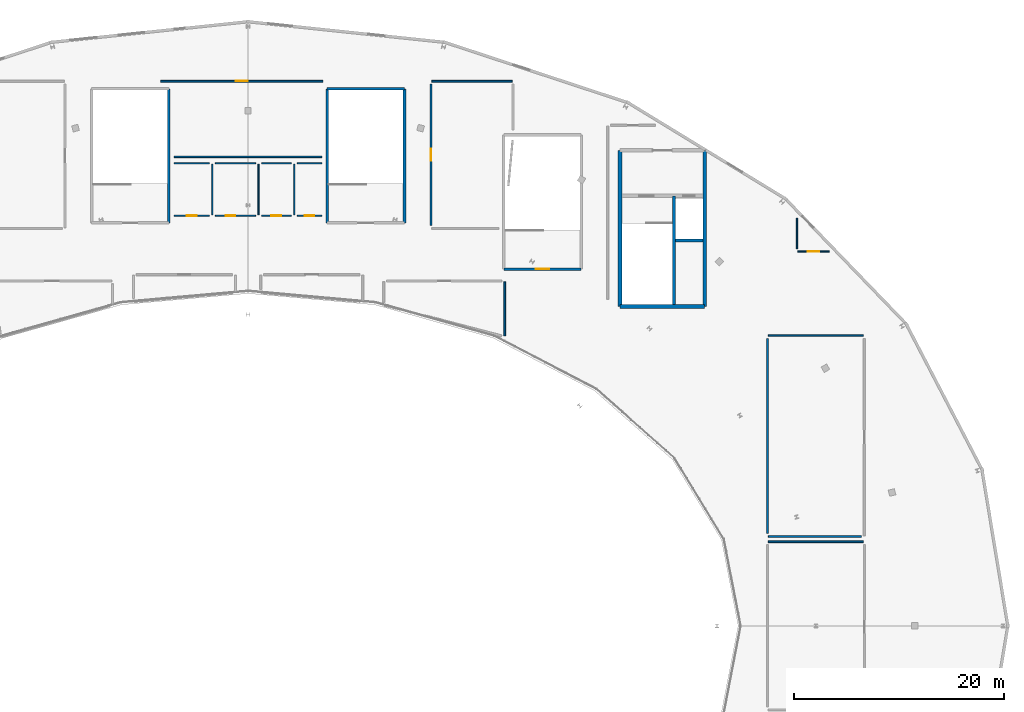
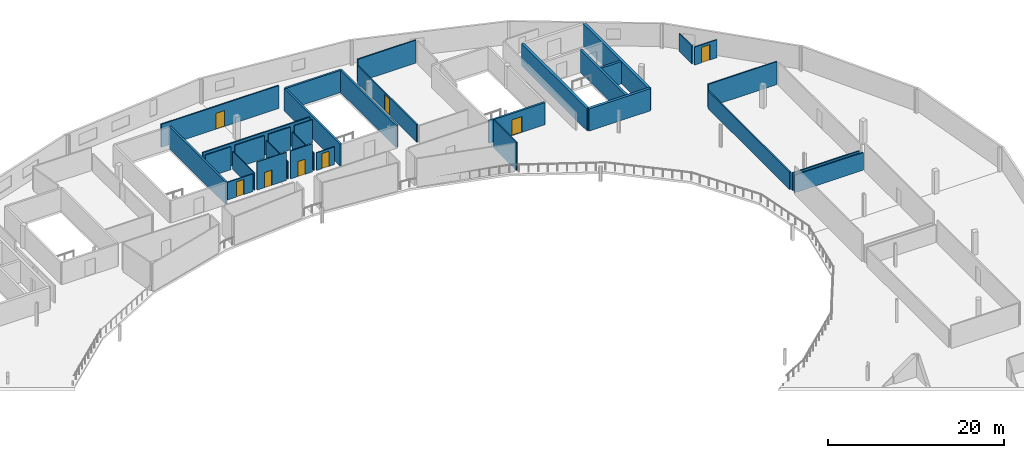
# One storey, part 31 of 35: 32 walls, 8 doors, 8 openings.
"""IFC4 building model written with IfcOpenShell, lengths in metres."""

from ifc_helpers import new_model, si_unit, direction, frame, frame_2d, origin, place, context, subcontext, project, spatial, rectangle, extrude, material, layer, layer_set, type_object, element, fill, save


model = new_model("IFC4")

# Units and contexts
model_context = context("Model", 3, precision=1e-05, world=origin(), true_north=direction((0.0, 1.0)))
body_context = subcontext(model_context, "Body", "Model", "MODEL_VIEW")
ifc_project = project(units=[si_unit("LENGTHUNIT", "METRE"), si_unit("AREAUNIT", "SQUARE_METRE"), si_unit("VOLUMEUNIT", "CUBIC_METRE"), si_unit("PLANEANGLEUNIT", "RADIAN"), si_unit("MASSUNIT", "GRAM", prefix="KILO")], contexts=[model_context])

# Site, building, storey
site_placement = place(None, origin())
site = spatial("IfcSite", under=ifc_project, at=site_placement, CompositionType="ELEMENT")
building_placement = place(site_placement, origin())
building = spatial("IfcBuilding", under=site, at=building_placement, Name="Kalgoora Escarpment Arena", CompositionType="ELEMENT")
storey_placement = place(building_placement, frame((0.0, 0.0, 23.39990234375)))
storey = spatial("IfcBuildingStorey", under=building, at=storey_placement, Name="L05", CompositionType="ELEMENT", Elevation=23.39990234375)

# Walls
ifc_material_1 = material(Name="Concrete N50 (fc' 50 MPa)", Category="concrete")
ifc_layer_1 = layer(ifc_material_1, 0.35009765625)
ifc_layer_set_1 = layer_set([ifc_layer_1], Name="WAL-CORE-350")
wall_type_1 = type_object("IfcWallType", Name="WAL-CORE-350", PredefinedType="SHEAR", material=ifc_layer_set_1)
wall_1_placement = place(storey_placement, frame((127.77490234375, 94.375, 0.0), z_axis=(0.0, 0.0, 1.0), x_axis=(1.0, 0.0, 0.0)))
element("IfcWall", 1, at=wall_1_placement, inside=storey, type_object=wall_type_1, Name="Core C4 L05 south shear wall", PredefinedType="SHEAR", context=body_context, shape_type="SweptSolid", body=[
    extrude(rectangle(XDim=8.050048828125, YDim=0.35009765625, at=frame_2d((4.02490234375, 0.0))), origin(), (0.0, 0.0, 1.0), 3.080078125),
])
for number, where, z_axis, x_axis, name in (
    (2, (127.77490234375, 94.375, 0.0), (0.0, 0.0, 1.0), (0.0, 1.0, 0.0), "Core C4 L05 west shear wall"),
    (3, (135.824951171875, 94.375, 0.0), (0.0, 0.0, 1.0), (0.0, 1.0, 0.0), "Core C4 L05 east shear wall"),
):
    element("IfcWall", number, at=place(storey_placement, frame(where, z_axis=z_axis, x_axis=x_axis)), inside=storey, type_object=wall_type_1, Name=name, PredefinedType="SHEAR", context=body_context, shape_type="SweptSolid", body=[
        extrude(rectangle(XDim=14.85009765625, YDim=0.35009765625, at=frame_2d((7.425048828125, 0.0))), origin(), (0.0, 0.0, 1.0), 3.080078125),
    ])

# Wall, opening, door
ifc_material_2 = material(Name="Hospitality acoustic drywall partition", Category="gypsum")
ifc_layer_2 = layer(ifc_material_2, 0.135009765625)
ifc_layer_set_2 = layer_set([ifc_layer_2], Name="WAL-DIN-135")
wall_type_2 = type_object("IfcWallType", Name="WAL-DIN-135", PredefinedType="PARTITIONING", material=ifc_layer_set_2)
wall_2_placement = place(storey_placement, frame((147.65234375, 99.60009765625, 0.0), z_axis=(0.0, 0.0, 1.0), x_axis=(-1.0, 0.0, 0.0)))
wall_2 = element("IfcWall", 4, at=wall_2_placement, inside=storey, type_object=wall_type_2, Name="L05 North East Press Dining Lounge partition wall", PredefinedType="PARTITIONING", context=body_context, shape_type="SweptSolid", body=[
    extrude(rectangle(XDim=2.972412109375, YDim=0.135009765625, at=frame_2d((1.486328125, 0.0))), origin(), (0.0, 0.0, 1.0), 2.5),
])
opening_1_placement = place(wall_2_placement, frame((0.9462890625, 0.0, 0.0)))
opening_1 = element("IfcOpeningElement", 5, at=opening_1_placement, cuts=wall_2, Name="Opening FD-I158", PredefinedType="OPENING", context=body_context, shape_type="SweptSolid", body=[
    extrude(rectangle(XDim=1.080078125, YDim=2.14990234375, at=frame_2d((0.5400390625, 1.074951171875))), frame((0.0, 0.077392578125, 0.0), z_axis=(0.0, -1.0, 0.0), x_axis=(1.0, 0.0, 0.0)), (0.0, 0.0, 1.0), 0.155029296875),
])
ifc_material_3 = material(Name="Solid-core acoustic timber door", Category="wood")
door_type_1 = type_object("IfcDoorType", Name="DR-GEN-1080", OperationType="NOTDEFINED", PredefinedType="DOOR", material=ifc_material_3)
door_1_placement = place(opening_1_placement, origin())
door_1 = element("IfcDoor", 6, at=door_1_placement, inside=storey, type_object=door_type_1, Name="North East Press Dining Lounge entrance door", OperationType="SINGLE_SWING_RIGHT", OverallHeight=2.14990234375, OverallWidth=1.080078125, PredefinedType="DOOR", context=body_context, shape_type="SweptSolid", body=[
    extrude(rectangle(XDim=1.080078125, YDim=2.14990234375, at=frame_2d((0.5400390625, 1.074951171875))), frame((0.0, 0.02490234375, 0.0), z_axis=(0.0, -1.0, 0.0), x_axis=(1.0, 0.0, 0.0)), (0.0, 0.0, 1.0), 0.050048828125),
])
fill(opening_1, door_1)

# Walls
wall_3_placement = place(storey_placement, frame((144.60009765625, 99.884765625, 0.0), z_axis=(0.0, 0.0, 1.0), x_axis=(0.0, 1.0, 0.0)))
element("IfcWall", 7, at=wall_3_placement, inside=storey, type_object=wall_type_2, Name="L05 North East Press Dining Lounge partition wall", PredefinedType="PARTITIONING", context=body_context, shape_type="SweptSolid", body=[
    extrude(rectangle(XDim=2.8828125, YDim=0.135009765625, at=frame_2d((1.44140625, 0.0))), origin(), (0.0, 0.0, 1.0), 2.5),
])
ifc_material_4 = material(Name="Broadcast acoustic double-stud partition", Category="gypsum")
ifc_layer_3 = layer(ifc_material_4, 0.1650390625)
ifc_layer_set_3 = layer_set([ifc_layer_3], Name="WAL-MED-165")
wall_type_3 = type_object("IfcWallType", Name="WAL-MED-165", PredefinedType="PARTITIONING", material=ifc_layer_set_3)
wall_4_placement = place(storey_placement, frame((109.8798828125, 115.800048828125, 0.0), z_axis=(0.0, 0.0, 1.0), x_axis=(1.0, 0.0, 0.0)))
element("IfcWall", 8, at=wall_4_placement, inside=storey, type_object=wall_type_3, Name="L05 Press Workroom partition wall", PredefinedType="PARTITIONING", context=body_context, shape_type="SweptSolid", body=[
    extrude(rectangle(XDim=7.64013671875, YDim=0.1650390625, at=frame_2d((3.820068359375, 0.0))), origin(), (0.0, 0.0, 1.0), 3.18017578125),
])

# Wall, opening, door
wall_5_placement = place(storey_placement, frame((109.800048828125, 102.084716796875, 0.0), z_axis=(0.0, 0.0, 1.0), x_axis=(0.0, 1.0, 0.0)))
wall_5 = element("IfcWall", 9, at=wall_5_placement, inside=storey, type_object=wall_type_3, Name="L05 Press Workroom partition wall", PredefinedType="PARTITIONING", context=body_context, shape_type="SweptSolid", body=[
    extrude(rectangle(XDim=13.430419921875, YDim=0.1650390625, at=frame_2d((6.71533203125, 0.0))), origin(), (0.0, 0.0, 1.0), 2.445068359375),
])
opening_2_placement = place(wall_5_placement, frame((6.14013671875, 0.0, 0.0)))
opening_2 = element("IfcOpeningElement", 10, at=opening_2_placement, cuts=wall_5, Name="Opening FD-I150", PredefinedType="OPENING", context=body_context, shape_type="SweptSolid", body=[
    extrude(rectangle(XDim=1.14990234375, YDim=2.199951171875, at=frame_2d((0.574951171875, 1.10009765625))), frame((0.0, 0.092529296875, 0.0), z_axis=(0.0, -1.0, 0.0), x_axis=(1.0, 0.0, 0.0)), (0.0, 0.0, 1.0), 0.18505859375),
])
ifc_material_5 = material(Name="Acoustic seal commentary suite leaf")
door_type_2 = type_object("IfcDoorType", Name="DR-MED-1150", OperationType="NOTDEFINED", PredefinedType="DOOR", material=ifc_material_5)
door_2_placement = place(opening_2_placement, origin())
door_2 = element("IfcDoor", 11, at=door_2_placement, inside=storey, type_object=door_type_2, Name="Press Workroom entrance door", OperationType="SINGLE_SWING_RIGHT", OverallHeight=2.199951171875, OverallWidth=1.14990234375, PredefinedType="DOOR", context=body_context, shape_type="SweptSolid", body=[
    extrude(rectangle(XDim=1.14990234375, YDim=2.199951171875, at=frame_2d((0.574951171875, 1.10009765625))), frame((0.0, 0.02490234375, 0.0), z_axis=(0.0, -1.0, 0.0), x_axis=(1.0, 0.0, 0.0)), (0.0, 0.0, 1.0), 0.050048828125),
])
fill(opening_2, door_2)

wall_6_placement = place(storey_placement, frame((84.080078125, 115.800048828125, 0.0), z_axis=(0.0, 0.0, 1.0), x_axis=(1.0, 0.0, 0.0)))
wall_6 = element("IfcWall", 12, at=wall_6_placement, inside=storey, type_object=wall_type_3, Name="L05 International Media Lounge partition wall", PredefinedType="PARTITIONING", context=body_context, shape_type="SweptSolid", body=[
    extrude(rectangle(XDim=15.43994140625, YDim=0.1650390625, at=frame_2d((7.719970703125, 0.0))), origin(), (0.0, 0.0, 1.0), 3.18017578125),
])
opening_3_placement = place(wall_6_placement, frame((7.14501953125, 0.0, 0.0)))
opening_3 = element("IfcOpeningElement", 13, at=opening_3_placement, cuts=wall_6, Name="Opening FD-I151", PredefinedType="OPENING", context=body_context, shape_type="SweptSolid", body=[
    extrude(rectangle(XDim=1.14990234375, YDim=2.199951171875, at=frame_2d((0.574951171875, 1.10009765625))), frame((0.0, 0.092529296875, 0.0), z_axis=(0.0, -1.0, 0.0), x_axis=(1.0, 0.0, 0.0)), (0.0, 0.0, 1.0), 0.18505859375),
])
door_3_placement = place(opening_3_placement, origin())
door_3 = element("IfcDoor", 14, at=door_3_placement, inside=storey, type_object=door_type_2, Name="International Media Lounge entrance door", OperationType="SINGLE_SWING_LEFT", OverallHeight=2.199951171875, OverallWidth=1.14990234375, PredefinedType="DOOR", context=body_context, shape_type="SweptSolid", body=[
    extrude(rectangle(XDim=1.14990234375, YDim=2.199951171875, at=frame_2d((0.574951171875, 1.10009765625))), frame((0.0, 0.02490234375, 0.0), z_axis=(0.0, -1.0, 0.0), x_axis=(1.0, 0.0, 0.0)), (0.0, 0.0, 1.0), 0.050048828125),
])
fill(opening_3, door_3)

# Walls
wall_7_placement = place(storey_placement, frame((99.425048828125, 108.60009765625, 0.0), z_axis=(0.0, 0.0, 1.0), x_axis=(-1.0, 0.0, 0.0)))
element("IfcWall", 15, at=wall_7_placement, inside=storey, type_object=wall_type_3, Name="L05 International Media Lounge partition wall", PredefinedType="PARTITIONING", context=body_context, shape_type="SweptSolid", body=[
    extrude(rectangle(XDim=14.050048828125, YDim=0.1650390625, at=frame_2d((7.02490234375, 0.0))), origin(), (0.0, 0.0, 1.0), 3.18017578125),
])
wall_8_placement = place(storey_placement, frame((141.8798828125, 91.60009765625, 0.0), z_axis=(0.0, 0.0, 1.0), x_axis=(1.0, 0.0, 0.0)))
element("IfcWall", 16, at=wall_8_placement, inside=storey, type_object=wall_type_3, Name="L05 Radio Press Tribune Lounge partition wall", PredefinedType="PARTITIONING", context=body_context, shape_type="SweptSolid", body=[
    extrude(rectangle(XDim=9.0400390625, YDim=0.1650390625, at=frame_2d((4.52001953125, 0.0))), origin(), (0.0, 0.0, 1.0), 3.18017578125),
])
wall_9_placement = place(storey_placement, frame((150.715087890625, 72.5, 0.0), z_axis=(0.0, 0.0, 1.0), x_axis=(-1.0, 0.0, 0.0)))
element("IfcWall", 17, at=wall_9_placement, inside=storey, type_object=wall_type_3, Name="L05 Radio Press Tribune Lounge partition wall", PredefinedType="PARTITIONING", context=body_context, shape_type="SweptSolid", body=[
    extrude(rectangle(XDim=8.835205078125, YDim=0.1650390625, at=frame_2d((4.41748046875, 0.0))), origin(), (0.0, 0.0, 1.0), 2.445068359375),
])
wall_10_placement = place(storey_placement, frame((141.800048828125, 72.784912109375, 0.0), z_axis=(0.0, 0.0, 1.0), x_axis=(0.0, 1.0, 0.0)))
element("IfcWall", 18, at=wall_10_placement, inside=storey, type_object=wall_type_3, Name="L05 Radio Press Tribune Lounge partition wall", PredefinedType="PARTITIONING", context=body_context, shape_type="SweptSolid", body=[
    extrude(rectangle(XDim=18.5302734375, YDim=0.1650390625, at=frame_2d((9.26513671875, 0.0))), origin(), (0.0, 0.0, 1.0), 2.445068359375),
])
wall_11_placement = place(storey_placement, frame((116.800048828125, 96.719970703125, 0.0), z_axis=(0.0, 0.0, 1.0), x_axis=(0.0, -1.0, 0.0)))
element("IfcWall", 19, at=wall_11_placement, inside=storey, type_object=wall_type_3, Name="L05 Commentary Box 4 partition wall", PredefinedType="PARTITIONING", context=body_context, shape_type="SweptSolid", body=[
    extrude(rectangle(XDim=5.139892578125, YDim=0.1650390625, at=frame_2d((2.56982421875, 0.0))), origin(), (0.0, 0.0, 1.0), 3.900146484375),
])
ifc_material_6 = material(Name="Insulated steel-stud acoustic partition", Category="steel")
ifc_layer_4 = layer(ifc_material_6, 0.14501953125)
ifc_layer_set_4 = layer_set([ifc_layer_4], Name="WAL-ROOM-145")
wall_type_4 = type_object("IfcWallType", Name="WAL-ROOM-145", PredefinedType="PARTITIONING", material=ifc_layer_set_4)
wall_12_placement = place(storey_placement, frame((141.8798828125, 72.0, 0.0), z_axis=(0.0, 0.0, 1.0), x_axis=(1.0, 0.0, 0.0)))
element("IfcWall", 20, at=wall_12_placement, inside=storey, type_object=wall_type_4, Name="L05 Broadcast Rack Server Room partition wall", PredefinedType="PARTITIONING", context=body_context, shape_type="SweptSolid", body=[
    extrude(rectangle(XDim=9.0400390625, YDim=0.14501953125, at=frame_2d((4.52001953125, 0.0))), origin(), (0.0, 0.0, 1.0), 2.445068359375),
])
ifc_material_7 = material(Name="Concrete N50 (fc' 50 MPa)", Category="concrete")
ifc_layer_5 = layer(ifc_material_7, 0.300048828125)
ifc_layer_set_5 = layer_set([ifc_layer_5], Name="WAL-SHAFT-300")
wall_type_5 = type_object("IfcWallType", Name="WAL-SHAFT-300", PredefinedType="SHEAR", material=ifc_layer_set_5)
wall_13_placement = place(storey_placement, frame((132.89990234375, 94.550048828125, 0.0), z_axis=(0.0, 0.0, 1.0), x_axis=(0.0, 1.0, 0.0)))
element("IfcWall", 21, at=wall_13_placement, inside=storey, type_object=wall_type_5, Name="Core C4 L05 stair-lift spine wall", PredefinedType="SHEAR", context=body_context, shape_type="SweptSolid", body=[
    extrude(rectangle(XDim=10.349853515625, YDim=0.300048828125, at=frame_2d((5.1748046875, 0.0))), origin(), (0.0, 0.0, 1.0), 3.080078125),
])
wall_14_placement = place(storey_placement, frame((133.050048828125, 100.64990234375, 0.0), z_axis=(0.0, 0.0, 1.0), x_axis=(1.0, 0.0, 0.0)))
element("IfcWall", 22, at=wall_14_placement, inside=storey, type_object=wall_type_5, Name="Core C4 L05 lift-riser divider wall", PredefinedType="SHEAR", context=body_context, shape_type="SweptSolid", body=[
    extrude(rectangle(XDim=2.599853515625, YDim=0.300048828125, at=frame_2d((1.2998046875, 0.0))), origin(), (0.0, 0.0, 1.0), 3.080078125),
])
ifc_material_8 = material(Name="Concrete N50 (fc' 50 MPa)", Category="concrete")
ifc_layer_6 = layer(ifc_material_8, 0.25)
ifc_layer_set_6 = layer_set([ifc_layer_6], Name="WAL-STAIR-250")
wall_type_6 = type_object("IfcWallType", Name="WAL-STAIR-250", PredefinedType="SHEAR", material=ifc_layer_set_6)
wall_15_placement = place(storey_placement, frame((84.875, 102.324951171875, 0.0), z_axis=(0.0, 0.0, 1.0), x_axis=(0.0, 1.0, 0.0)))
element("IfcWall", 23, at=wall_15_placement, inside=storey, type_object=wall_type_6, Name="Exit stair ST10 L05 east wall", PredefinedType="SHEAR", context=body_context, shape_type="SweptSolid", body=[
    extrude(rectangle(XDim=12.75, YDim=0.25, at=frame_2d((6.375, 0.0))), origin(), (0.0, 0.0, 1.0), 3.080078125),
])
wall_16_placement = place(storey_placement, frame((99.925048828125, 115.074951171875, 0.0), z_axis=(0.0, 0.0, 1.0), x_axis=(1.0, 0.0, 0.0)))
element("IfcWall", 24, at=wall_16_placement, inside=storey, type_object=wall_type_6, Name="Exit stair ST11 L05 north wall", PredefinedType="SHEAR", context=body_context, shape_type="SweptSolid", body=[
    extrude(rectangle(XDim=7.349853515625, YDim=0.25, at=frame_2d((3.6748046875, 0.0))), origin(), (0.0, 0.0, 1.0), 3.080078125),
])
for number, where, z_axis, x_axis, name in (
    (25, (99.925048828125, 102.324951171875, 0.0), (0.0, 0.0, 1.0), (0.0, 1.0, 0.0), "Exit stair ST11 L05 west wall"),
    (26, (107.27490234375, 102.324951171875, 0.0), (0.0, 0.0, 1.0), (0.0, 1.0, 0.0), "Exit stair ST11 L05 east wall"),
):
    element("IfcWall", number, at=place(storey_placement, frame(where, z_axis=z_axis, x_axis=x_axis)), inside=storey, type_object=wall_type_6, Name=name, PredefinedType="SHEAR", context=body_context, shape_type="SweptSolid", body=[
        extrude(rectangle(XDim=12.75, YDim=0.25, at=frame_2d((6.375, 0.0))), origin(), (0.0, 0.0, 1.0), 3.080078125),
    ])

# Wall, opening, door
wall_17_placement = place(storey_placement, frame((116.72509765625, 97.925048828125, 0.0), z_axis=(0.0, 0.0, 1.0), x_axis=(1.0, 0.0, 0.0)))
wall_17 = element("IfcWall", 27, at=wall_17_placement, inside=storey, type_object=wall_type_6, Name="Exit stair ST12 L05 south wall", PredefinedType="SHEAR", context=body_context, shape_type="SweptSolid", body=[
    extrude(rectangle(XDim=7.349853515625, YDim=0.25, at=frame_2d((3.6748046875, 0.0))), origin(), (0.0, 0.0, 1.0), 3.080078125),
])
opening_4_placement = place(wall_17_placement, frame((3.014892578125, 0.0, 0.0)))
opening_4 = element("IfcOpeningElement", 28, at=opening_4_placement, cuts=wall_17, Name="Opening FD-ST12", PredefinedType="OPENING", context=body_context, shape_type="SweptSolid", body=[
    extrude(rectangle(XDim=1.320068359375, YDim=2.199951171875, at=frame_2d((0.66015625, 1.10009765625))), frame((0.0, 0.135009765625, 0.0), z_axis=(0.0, -1.0, 0.0), x_axis=(1.0, 0.0, 0.0)), (0.0, 0.0, 1.0), 0.27001953125),
])
ifc_material_9 = material(Name="Fire-rated steel stair leaf with vision panel", Category="steel")
door_type_3 = type_object("IfcDoorType", Name="DR-STAIR-1320", OperationType="NOTDEFINED", PredefinedType="DOOR", material=ifc_material_9)
door_4_placement = place(opening_4_placement, origin())
door_4 = element("IfcDoor", 29, at=door_4_placement, inside=storey, type_object=door_type_3, Name="Fire-isolated stair ST12 L05 egress door", OperationType="SINGLE_SWING_LEFT", OverallHeight=2.199951171875, OverallWidth=1.320068359375, PredefinedType="DOOR", context=body_context, shape_type="SweptSolid", body=[
    extrude(rectangle(XDim=1.320068359375, YDim=2.199951171875, at=frame_2d((0.66015625, 1.10009765625))), frame((0.0, 0.02490234375, 0.0), z_axis=(0.0, -1.0, 0.0), x_axis=(1.0, 0.0, 0.0)), (0.0, 0.0, 1.0), 0.050048828125),
])
fill(opening_4, door_4)

# Wall
ifc_material_10 = material(Name="Moisture-resistant wet-area partition", Category="gypsum")
ifc_layer_7 = layer(ifc_material_10, 0.125)
ifc_layer_set_7 = layer_set([ifc_layer_7], Name="WAL-WC-125")
wall_type_7 = type_object("IfcWallType", Name="WAL-WC-125", PredefinedType="PARTITIONING", material=ifc_layer_set_7)
wall_18_placement = place(storey_placement, frame((89.0, 107.919921875, 0.0), z_axis=(0.0, 0.0, 1.0), x_axis=(0.0, -1.0, 0.0)))
element("IfcWall", 30, at=wall_18_placement, inside=storey, type_object=wall_type_7, Name="L05 Male WC partition wall", PredefinedType="PARTITIONING", context=body_context, shape_type="SweptSolid", body=[
    extrude(rectangle(XDim=4.83984375, YDim=0.125, at=frame_2d((2.419921875, 0.0))), origin(), (0.0, 0.0, 1.0), 2.445068359375),
])

# Wall, opening, door
wall_19_placement = place(storey_placement, frame((88.715087890625, 103.0, 0.0), z_axis=(0.0, 0.0, 1.0), x_axis=(-1.0, 0.0, 0.0)))
wall_19 = element("IfcWall", 31, at=wall_19_placement, inside=storey, type_object=wall_type_7, Name="L05 Male WC partition wall", PredefinedType="PARTITIONING", context=body_context, shape_type="SweptSolid", body=[
    extrude(rectangle(XDim=3.340087890625, YDim=0.125, at=frame_2d((1.669921875, 0.0))), origin(), (0.0, 0.0, 1.0), 2.445068359375),
])
opening_5_placement = place(wall_19_placement, frame((1.195068359375, 0.0, 0.0)))
opening_5 = element("IfcOpeningElement", 32, at=opening_5_placement, cuts=wall_19, Name="Opening D-I145", PredefinedType="OPENING", context=body_context, shape_type="SweptSolid", body=[
    extrude(rectangle(XDim=0.949951171875, YDim=2.10009765625, at=frame_2d((0.47509765625, 1.050048828125))), frame((0.0, 0.072509765625, 0.0), z_axis=(0.0, -1.0, 0.0), x_axis=(1.0, 0.0, 0.0)), (0.0, 0.0, 1.0), 0.14501953125),
])
ifc_material_11 = material(Name="Moisture-resistant laminate accessible WC door")
door_type_4 = type_object("IfcDoorType", Name="DR-WC-0950", OperationType="NOTDEFINED", PredefinedType="DOOR", material=ifc_material_11)
door_5_placement = place(opening_5_placement, origin())
door_5 = element("IfcDoor", 33, at=door_5_placement, inside=storey, type_object=door_type_4, Name="Male WC entrance door", OperationType="SINGLE_SWING_LEFT", OverallHeight=2.10009765625, OverallWidth=0.949951171875, PredefinedType="DOOR", context=body_context, shape_type="SweptSolid", body=[
    extrude(rectangle(XDim=0.949951171875, YDim=2.10009765625, at=frame_2d((0.47509765625, 1.050048828125))), frame((0.0, 0.02490234375, 0.0), z_axis=(0.0, -1.0, 0.0), x_axis=(1.0, 0.0, 0.0)), (0.0, 0.0, 1.0), 0.050048828125),
])
fill(opening_5, door_5)

# Walls
wall_20_placement = place(storey_placement, frame((85.375, 108.0, 0.0), z_axis=(0.0, 0.0, 1.0), x_axis=(1.0, 0.0, 0.0)))
element("IfcWall", 34, at=wall_20_placement, inside=storey, type_object=wall_type_7, Name="L05 Male WC partition wall", PredefinedType="PARTITIONING", context=body_context, shape_type="SweptSolid", body=[
    extrude(rectangle(XDim=3.340087890625, YDim=0.125, at=frame_2d((1.669921875, 0.0))), origin(), (0.0, 0.0, 1.0), 3.18017578125),
])
wall_21_placement = place(storey_placement, frame((93.39990234375, 107.919921875, 0.0), z_axis=(0.0, 0.0, 1.0), x_axis=(0.0, -1.0, 0.0)))
element("IfcWall", 35, at=wall_21_placement, inside=storey, type_object=wall_type_7, Name="L05 Female WC partition wall", PredefinedType="PARTITIONING", context=body_context, shape_type="SweptSolid", body=[
    extrude(rectangle(XDim=4.83984375, YDim=0.125, at=frame_2d((2.419921875, 0.0))), origin(), (0.0, 0.0, 1.0), 2.445068359375),
])

# Wall, opening, door
wall_22_placement = place(storey_placement, frame((93.115234375, 103.0, 0.0), z_axis=(0.0, 0.0, 1.0), x_axis=(-1.0, 0.0, 0.0)))
wall_22 = element("IfcWall", 36, at=wall_22_placement, inside=storey, type_object=wall_type_7, Name="L05 Female WC partition wall", PredefinedType="PARTITIONING", context=body_context, shape_type="SweptSolid", body=[
    extrude(rectangle(XDim=3.830322265625, YDim=0.125, at=frame_2d((1.9150390625, 0.0))), origin(), (0.0, 0.0, 1.0), 3.900146484375),
])
opening_6_placement = place(wall_22_placement, frame((1.9208984375, 0.0, 0.0)))
opening_6 = element("IfcOpeningElement", 37, at=opening_6_placement, cuts=wall_22, Name="Opening D-I146", PredefinedType="OPENING", context=body_context, shape_type="SweptSolid", body=[
    extrude(rectangle(XDim=0.919921875, YDim=2.10009765625, at=frame_2d((0.4599609375, 1.050048828125))), frame((0.0, 0.072509765625, 0.0), z_axis=(0.0, -1.0, 0.0), x_axis=(1.0, 0.0, 0.0)), (0.0, 0.0, 1.0), 0.14501953125),
])
ifc_material_12 = material(Name="Moisture-resistant laminate WC door")
door_type_5 = type_object("IfcDoorType", Name="DR-WC-0920", OperationType="NOTDEFINED", PredefinedType="DOOR", material=ifc_material_12)
door_6_placement = place(opening_6_placement, origin())
door_6 = element("IfcDoor", 38, at=door_6_placement, inside=storey, type_object=door_type_5, Name="Female WC entrance door", OperationType="SINGLE_SWING_RIGHT", OverallHeight=2.10009765625, OverallWidth=0.919921875, PredefinedType="DOOR", context=body_context, shape_type="SweptSolid", body=[
    extrude(rectangle(XDim=0.919921875, YDim=2.10009765625, at=frame_2d((0.4599609375, 1.050048828125))), frame((0.0, 0.02490234375, 0.0), z_axis=(0.0, -1.0, 0.0), x_axis=(1.0, 0.0, 0.0)), (0.0, 0.0, 1.0), 0.050048828125),
])
fill(opening_6, door_6)

# Walls
wall_23_placement = place(storey_placement, frame((89.284912109375, 108.0, 0.0), z_axis=(0.0, 0.0, 1.0), x_axis=(1.0, 0.0, 0.0)))
element("IfcWall", 39, at=wall_23_placement, inside=storey, type_object=wall_type_7, Name="L05 Female WC partition wall", PredefinedType="PARTITIONING", context=body_context, shape_type="SweptSolid", body=[
    extrude(rectangle(XDim=3.830322265625, YDim=0.125, at=frame_2d((1.9150390625, 0.0))), origin(), (0.0, 0.0, 1.0), 3.18017578125),
])
wall_24_placement = place(storey_placement, frame((96.800048828125, 107.919921875, 0.0), z_axis=(0.0, 0.0, 1.0), x_axis=(0.0, -1.0, 0.0)))
element("IfcWall", 40, at=wall_24_placement, inside=storey, type_object=wall_type_7, Name="L05 Accessible WC partition wall", PredefinedType="PARTITIONING", context=body_context, shape_type="SweptSolid", body=[
    extrude(rectangle(XDim=4.83984375, YDim=0.125, at=frame_2d((2.419921875, 0.0))), origin(), (0.0, 0.0, 1.0), 2.445068359375),
])

# Wall, opening, door
wall_25_placement = place(storey_placement, frame((96.51513671875, 103.0, 0.0), z_axis=(0.0, 0.0, 1.0), x_axis=(-1.0, 0.0, 0.0)))
wall_25 = element("IfcWall", 41, at=wall_25_placement, inside=storey, type_object=wall_type_7, Name="L05 Accessible WC partition wall", PredefinedType="PARTITIONING", context=body_context, shape_type="SweptSolid", body=[
    extrude(rectangle(XDim=2.830322265625, YDim=0.125, at=frame_2d((1.4150390625, 0.0))), origin(), (0.0, 0.0, 1.0), 3.900146484375),
])
opening_7_placement = place(wall_25_placement, frame((0.940185546875, 0.0, 0.0)))
opening_7 = element("IfcOpeningElement", 42, at=opening_7_placement, cuts=wall_25, Name="Opening D-I147", PredefinedType="OPENING", context=body_context, shape_type="SweptSolid", body=[
    extrude(rectangle(XDim=0.949951171875, YDim=2.10009765625, at=frame_2d((0.47509765625, 1.050048828125))), frame((0.0, 0.072509765625, 0.0), z_axis=(0.0, -1.0, 0.0), x_axis=(1.0, 0.0, 0.0)), (0.0, 0.0, 1.0), 0.14501953125),
])
door_7_placement = place(opening_7_placement, origin())
door_7 = element("IfcDoor", 43, at=door_7_placement, inside=storey, type_object=door_type_4, Name="Accessible WC entrance door", OperationType="SINGLE_SWING_LEFT", OverallHeight=2.10009765625, OverallWidth=0.949951171875, PredefinedType="DOOR", context=body_context, shape_type="SweptSolid", body=[
    extrude(rectangle(XDim=0.949951171875, YDim=2.10009765625, at=frame_2d((0.47509765625, 1.050048828125))), frame((0.0, 0.02490234375, 0.0), z_axis=(0.0, -1.0, 0.0), x_axis=(1.0, 0.0, 0.0)), (0.0, 0.0, 1.0), 0.050048828125),
])
fill(opening_7, door_7)

# Wall
wall_26_placement = place(storey_placement, frame((93.684814453125, 108.0, 0.0), z_axis=(0.0, 0.0, 1.0), x_axis=(1.0, 0.0, 0.0)))
element("IfcWall", 44, at=wall_26_placement, inside=storey, type_object=wall_type_7, Name="L05 Accessible WC partition wall", PredefinedType="PARTITIONING", context=body_context, shape_type="SweptSolid", body=[
    extrude(rectangle(XDim=2.830322265625, YDim=0.125, at=frame_2d((1.4150390625, 0.0))), origin(), (0.0, 0.0, 1.0), 3.18017578125),
])

# Wall, opening, door
wall_27_placement = place(storey_placement, frame((99.425048828125, 103.0, 0.0), z_axis=(0.0, 0.0, 1.0), x_axis=(-1.0, 0.0, 0.0)))
wall_27 = element("IfcWall", 45, at=wall_27_placement, inside=storey, type_object=wall_type_7, Name="L05 Staff WC partition wall", PredefinedType="PARTITIONING", context=body_context, shape_type="SweptSolid", body=[
    extrude(rectangle(XDim=2.34033203125, YDim=0.125, at=frame_2d((1.170166015625, 0.0))), origin(), (0.0, 0.0, 1.0), 2.445068359375),
])
opening_8_placement = place(wall_27_placement, frame((0.710205078125, 0.0, 0.0)))
opening_8 = element("IfcOpeningElement", 46, at=opening_8_placement, cuts=wall_27, Name="Opening D-I148", PredefinedType="OPENING", context=body_context, shape_type="SweptSolid", body=[
    extrude(rectangle(XDim=0.919921875, YDim=2.10009765625, at=frame_2d((0.4599609375, 1.050048828125))), frame((0.0, 0.072509765625, 0.0), z_axis=(0.0, -1.0, 0.0), x_axis=(1.0, 0.0, 0.0)), (0.0, 0.0, 1.0), 0.14501953125),
])
door_8_placement = place(opening_8_placement, origin())
door_8 = element("IfcDoor", 47, at=door_8_placement, inside=storey, type_object=door_type_5, Name="Staff WC entrance door", OperationType="SINGLE_SWING_RIGHT", OverallHeight=2.10009765625, OverallWidth=0.919921875, PredefinedType="DOOR", context=body_context, shape_type="SweptSolid", body=[
    extrude(rectangle(XDim=0.919921875, YDim=2.10009765625, at=frame_2d((0.4599609375, 1.050048828125))), frame((0.0, 0.02490234375, 0.0), z_axis=(0.0, -1.0, 0.0), x_axis=(1.0, 0.0, 0.0)), (0.0, 0.0, 1.0), 0.050048828125),
])
fill(opening_8, door_8)

# Wall
wall_28_placement = place(storey_placement, frame((97.084716796875, 108.0, 0.0), z_axis=(0.0, 0.0, 1.0), x_axis=(1.0, 0.0, 0.0)))
element("IfcWall", 48, at=wall_28_placement, inside=storey, type_object=wall_type_7, Name="L05 Staff WC partition wall", PredefinedType="PARTITIONING", context=body_context, shape_type="SweptSolid", body=[
    extrude(rectangle(XDim=2.34033203125, YDim=0.125, at=frame_2d((1.170166015625, 0.0))), origin(), (0.0, 0.0, 1.0), 3.18017578125),
])

save(model, "model.ifc")
